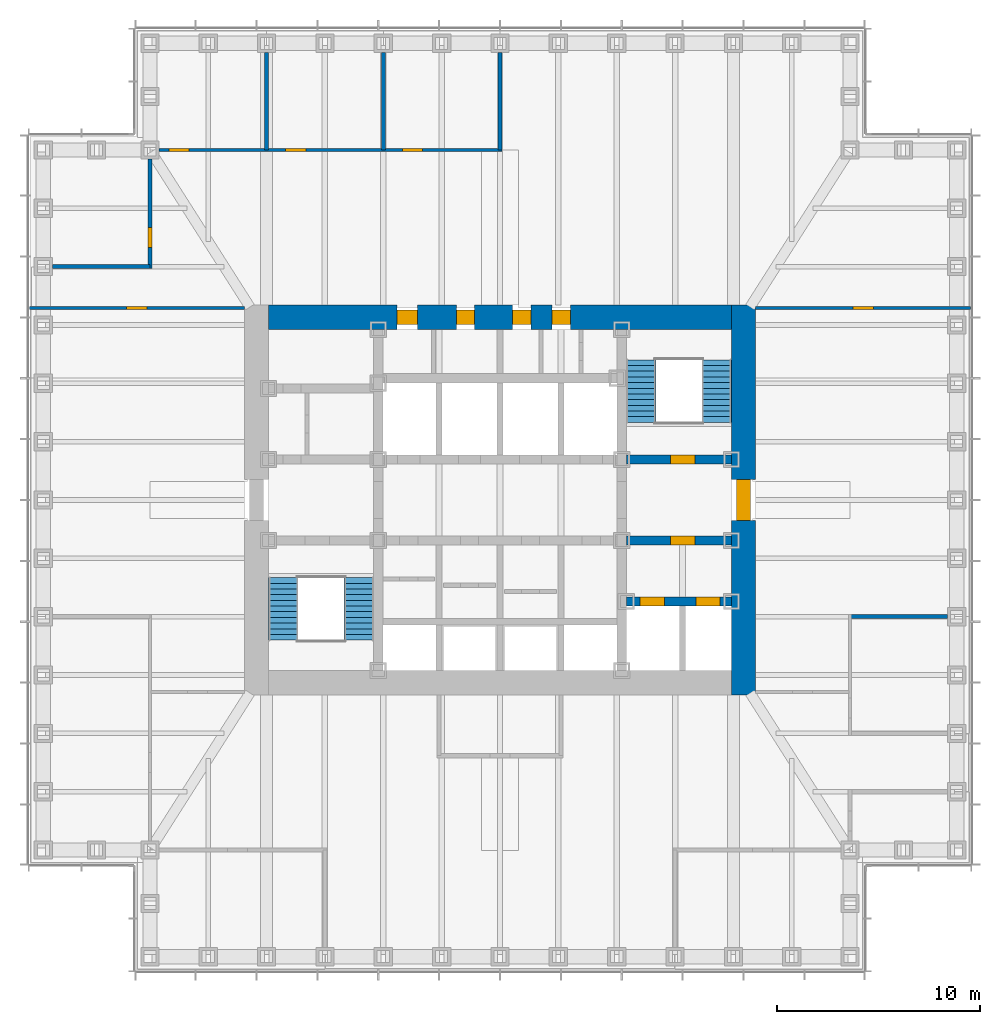
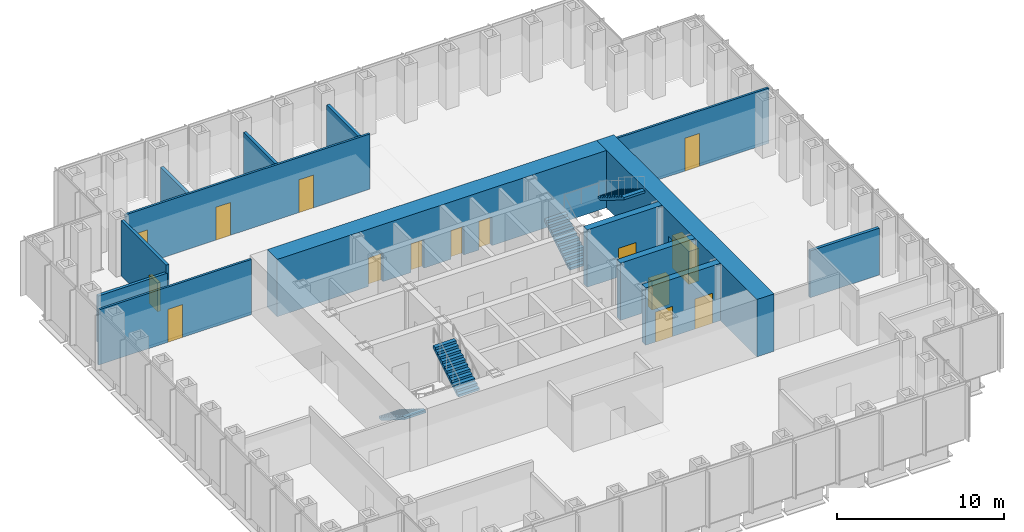
# One storey, part 10 of 16: 15 doors, 14 walls, 4 stair flights, 15 openings, 2 elements without a shape of their own.
"""IFC4 building model written with IfcOpenShell, lengths in metres."""

import ifcopenshell
import ifcopenshell.guid

model = None  # the IFC model being written
_history = None  # IfcOwnerHistory: only IFC2X3 demands one
_inside = {}  # id of a spatial element -> (the spatial element, [elements in it])
_under = {}  # id of a project, library or spatial element -> (it, [spatial elements below it])
_declared = {}  # id of a project -> (the project, [libraries it declares])
_typed = {}  # id of a type object -> (the type object, [elements of that type])
_made_of = {}  # id of a material, layer set ... -> (it, [elements and type objects made of it])


def new_model(schema):
    """Start an empty IFC model of exactly this schema.

    Asked for "IFC4X3", IfcOpenShell would pick the latest addendum, in which some entities
    have other attributes; the version numbers below select the first issue.
    IFC2X3 requires an IfcOwnerHistory on every rooted entity: one is made here for all.
    """
    global model, _history
    if schema == "IFC4X3":
        model = ifcopenshell.file(schema_version=(4, 3, 0, 0))
    else:
        model = ifcopenshell.file(schema=schema)
    _inside.clear()
    _under.clear()
    _declared.clear()
    _typed.clear()
    _made_of.clear()
    _history = None
    if model.schema == "IFC2X3":
        org = make("IfcOrganization", Name="unknown")
        user = make(
            "IfcPersonAndOrganization",
            ThePerson=make("IfcPerson", FamilyName="unknown"),
            TheOrganization=org,
        )
        app = make(
            "IfcApplication",
            ApplicationDeveloper=org,
            Version="unknown",
            ApplicationFullName="unknown",
            ApplicationIdentifier="unknown",
        )
        _history = make(
            "IfcOwnerHistory",
            OwningUser=user,
            OwningApplication=app,
            ChangeAction="ADDED",
            CreationDate=0,
        )
    return model


def make(cls, **values):
    """One entity of the class cls with the attributes given. An attribute that is None is left unset."""
    return model.create_entity(
        cls, **{name: value for name, value in values.items() if value is not None}
    )


def rooted(cls, **values):
    """An entity with a GlobalId (a new one), such as an element, a storey or a relation."""
    return make(cls, GlobalId=ifcopenshell.guid.new(), OwnerHistory=_history, **values)


def si_unit(unit_type, name, prefix=None):
    """IfcSIUnit, for example si_unit("LENGTHUNIT", "METRE", prefix="MILLI")."""
    return make("IfcSIUnit", UnitType=unit_type, Prefix=prefix, Name=name)


def assignment(units):
    """IfcUnitAssignment: the units of a project."""
    return None if units is None else make("IfcUnitAssignment", Units=units)


def point(xyz):
    """IfcCartesianPoint."""
    return None if xyz is None else make("IfcCartesianPoint", Coordinates=xyz)


def direction(xyz):
    """IfcDirection."""
    return None if xyz is None else make("IfcDirection", DirectionRatios=xyz)


def frame(location, z_axis=None, x_axis=None):
    """IfcAxis2Placement3D, a coordinate frame: its origin and axes. An axis left out is left unset."""
    return make(
        "IfcAxis2Placement3D",
        Location=point(location),
        Axis=direction(z_axis),
        RefDirection=direction(x_axis),
    )


def frame_2d(location, x_axis=None):
    """IfcAxis2Placement2D, a coordinate frame in the plane: its origin and x axis."""
    return make(
        "IfcAxis2Placement2D", Location=point(location), RefDirection=direction(x_axis)
    )


def origin():
    """The frame at (0, 0, 0) with its axes left unset."""
    return frame((0.0, 0.0, 0.0))


def place(relative_to, where):
    """IfcLocalPlacement: puts the frame where relative to a parent placement (None: the world)."""
    return make(
        "IfcLocalPlacement", PlacementRelTo=relative_to, RelativePlacement=where
    )


def context(
    kind, dimensions, precision=None, world=None, true_north=None, identifier=None
):
    """IfcGeometricRepresentationContext, for example the 3D "Model" context."""
    return make(
        "IfcGeometricRepresentationContext",
        ContextIdentifier=identifier,
        ContextType=kind,
        CoordinateSpaceDimension=dimensions,
        Precision=precision,
        WorldCoordinateSystem=world,
        TrueNorth=true_north,
    )


def subcontext(parent, identifier, kind, view, scale=None):
    """IfcGeometricRepresentationSubContext, for example "Body" below "Model"."""
    return make(
        "IfcGeometricRepresentationSubContext",
        ContextIdentifier=identifier,
        ContextType=kind,
        ParentContext=parent,
        TargetScale=scale,
        TargetView=view,
    )


def project(units=None, contexts=None):
    """IfcProject with its units and contexts."""
    return rooted(
        "IfcProject",
        Name="project",
        RepresentationContexts=contexts,
        UnitsInContext=assignment(units),
    )


def spatial(cls, under=None, at=None, **own):
    """A site, building, storey or space (cls), placed at a placement, below another one or the project."""
    s = rooted(cls, ObjectPlacement=at, **own)
    if under is not None:
        _under.setdefault(under.id(), (under, []))[1].append(s)
    return s


def polyline(points):
    """IfcPolyline through the points."""
    return make("IfcPolyline", Points=[point(p) for p in points])


def profile(cls, at=None, kind="AREA", **sizes):
    """A parametric profile (cls). Its sizes go by their IFC names, for example OverallWidth=200.0."""
    return make(cls, ProfileType=kind, Position=at, **sizes)


def rectangle(**sizes):
    """IfcRectangleProfileDef."""
    return profile("IfcRectangleProfileDef", **sizes)


def outline(outer, holes=None, kind="AREA"):
    """IfcArbitraryClosedProfileDef: a profile drawn as a closed curve; with holes, ...WithVoids."""
    if holes is None:
        return make("IfcArbitraryClosedProfileDef", ProfileType=kind, OuterCurve=outer)
    return make(
        "IfcArbitraryProfileDefWithVoids",
        ProfileType=kind,
        OuterCurve=outer,
        InnerCurves=holes,
    )


def extrude(swept, where, along, depth):
    """IfcExtrudedAreaSolid: the profile swept, set in the frame where, extruded along a direction by depth."""
    return make(
        "IfcExtrudedAreaSolid",
        SweptArea=swept,
        Position=where,
        ExtrudedDirection=direction(along),
        Depth=depth,
    )


def shape(context_of_items, identifier, shape_type, items):
    """IfcShapeRepresentation: the items that make up one representation, for example the "Body"."""
    return make(
        "IfcShapeRepresentation",
        ContextOfItems=context_of_items,
        RepresentationIdentifier=identifier,
        RepresentationType=shape_type,
        Items=items,
    )


def material(Name=None, Category=None):
    """IfcMaterial."""
    return make("IfcMaterial", Name=Name, Category=Category)


def layer(
    of_material, thickness, ventilated=None, Name=None, Category=None, Priority=None
):
    """IfcMaterialLayer: one layer of a wall or slab, of a material (None: an air gap)."""
    return make(
        "IfcMaterialLayer",
        Material=of_material,
        LayerThickness=thickness,
        IsVentilated=ventilated,
        Name=Name,
        Category=Category,
        Priority=Priority,
    )


def layer_set(layers, Name=None):
    """IfcMaterialLayerSet."""
    return make("IfcMaterialLayerSet", MaterialLayers=layers, LayerSetName=Name)


def made_of(thing, what):
    """Note that an element or type object is made of a material, layer set ...; save() writes the relation."""
    if what is not None:
        _made_of.setdefault(what.id(), (what, []))[1].append(thing)
    return thing


def type_object(cls, material=None, **own):
    """A type object (cls), such as IfcWallType, which elements share."""
    return made_of(rooted(cls, **own), material)


def element(
    cls,
    number,
    at=None,
    inside=None,
    cuts=None,
    type_object=None,
    material=None,
    context=None,
    identifier="Body",
    shape_type=None,
    held_by="IfcProductDefinitionShape",
    body=None,
    shapes=None,
    **own,
):
    """One element of the class cls, such as IfcWall. Its Tag is "e" and its number.

    at: its placement. inside: the storey or other place that contains it. cuts: it is an
    opening in that element (IfcRelVoidsElement). A single representation is given by context,
    identifier, shape_type and body (its items); several are given by shapes. held_by: the class
    of the entity that holds the representations. save() writes the other relations.
    """
    e = rooted(cls, Tag="e%d" % number, ObjectPlacement=at, **own)
    if body is not None:
        shapes = [shape(context, identifier, shape_type, body)]
    if shapes is not None:
        e.Representation = make(held_by, Representations=shapes)
    if inside is not None:
        _inside.setdefault(inside.id(), (inside, []))[1].append(e)
    if cuts is not None:
        rooted(
            "IfcRelVoidsElement", RelatingBuildingElement=cuts, RelatedOpeningElement=e
        )
    if type_object is not None:
        _typed.setdefault(type_object.id(), (type_object, []))[1].append(e)
    return made_of(e, material)


def fill(opening, filler):
    """IfcRelFillsElement: the door or window that sits in an opening."""
    return rooted(
        "IfcRelFillsElement",
        RelatingOpeningElement=opening,
        RelatedBuildingElement=filler,
    )


def aggregate(whole, parts):
    """IfcRelAggregates: a whole, such as a stair, and the parts it consists of."""
    return rooted("IfcRelAggregates", RelatingObject=whole, RelatedObjects=parts)


def save(model, path):
    """Write the relations noted so far, then the file.

    IfcRelAggregates (storeys below a building ...), IfcRelContainedInSpatialStructure (elements
    in a storey), IfcRelDefinesByType, IfcRelAssociatesMaterial and IfcRelDeclares: one each for
    every whole, place, type object, material and project.
    """
    for whole, parts in _under.values():
        aggregate(whole, parts)
    for where, things in _inside.values():
        rooted(
            "IfcRelContainedInSpatialStructure",
            RelatedElements=things,
            RelatingStructure=where,
        )
    for kind, things in _typed.values():
        rooted("IfcRelDefinesByType", RelatedObjects=things, RelatingType=kind)
    for what, things in _made_of.values():
        rooted("IfcRelAssociatesMaterial", RelatedObjects=things, RelatingMaterial=what)
    for by, libraries in _declared.values():
        rooted("IfcRelDeclares", RelatingContext=by, RelatedDefinitions=libraries)
    model.write(path)


model = new_model("IFC4")

# Units and contexts
model_context = context("Model", 3, precision=1e-05, world=origin(), true_north=direction((0.0, 1.0)))
body_context = subcontext(model_context, "Body", "Model", "MODEL_VIEW")
ifc_project = project(units=[si_unit("LENGTHUNIT", "METRE"), si_unit("AREAUNIT", "SQUARE_METRE"), si_unit("VOLUMEUNIT", "CUBIC_METRE"), si_unit("PLANEANGLEUNIT", "RADIAN"), si_unit("MASSUNIT", "GRAM", prefix="KILO")], contexts=[model_context])

# Site, building, storey
site_placement = place(None, origin())
site = spatial("IfcSite", under=ifc_project, at=site_placement, CompositionType="ELEMENT")
building_placement = place(site_placement, origin())
building = spatial("IfcBuilding", under=site, at=building_placement, Name="Daluyong Arena Tower", CompositionType="ELEMENT")
storey_placement = place(building_placement, frame((0.0, 0.0, 137.5)))
storey = spatial("IfcBuildingStorey", under=building, at=storey_placement, Name="L30", CompositionType="ELEMENT", Elevation=137.5)

# Wall, openings, doors
ifc_material_1 = material(Name="Concrete fc' 45 MPa", Category="concrete")
ifc_layer_1 = layer(ifc_material_1, 0.449951171875)
ifc_layer_set_1 = layer_set([ifc_layer_1], Name="Concrete fc' 45 MPa")
wall_type_1 = type_object("IfcWallType", Name="Core inner wall 450", PredefinedType="SHEAR", material=ifc_layer_set_1)
wall_1_placement = place(storey_placement, frame((62.22509765625, 75.0, 0.0), z_axis=(0.0, 0.0, 1.0), x_axis=(1.0, 0.0, 0.0)))
wall_1 = element("IfcWall", 1, at=wall_1_placement, inside=storey, type_object=wall_type_1, Name="core inner wall at L30", PredefinedType="SHEAR", context=body_context, shape_type="SweptSolid", body=[
    extrude(rectangle(XDim=5.1748046875, YDim=0.449951171875, at=frame_2d((2.58740234375, 0.0))), origin(), (0.0, 0.0, 1.0), 4.199951171875),
])
opening_1_placement = place(wall_1_placement, frame((0.675048828125, 0.0, 0.0)))
opening_1 = element("IfcOpeningElement", 2, at=opening_1_placement, cuts=wall_1, Name="Opening 30027", PredefinedType="OPENING", context=body_context, shape_type="SweptSolid", body=[
    extrude(rectangle(XDim=1.199951171875, YDim=2.199951171875, at=frame_2d((0.60009765625, 1.10009765625))), frame((0.0, 0.23486328125, 0.0), z_axis=(0.0, -1.0, 0.0), x_axis=(1.0, 0.0, 0.0)), (0.0, 0.0, 1.0), 0.469970703125),
])
opening_2_placement = place(wall_1_placement, frame((3.425048828125, 0.0, 0.0)))
opening_2 = element("IfcOpeningElement", 3, at=opening_2_placement, cuts=wall_1, Name="Opening 30028", PredefinedType="OPENING", context=body_context, shape_type="SweptSolid", body=[
    extrude(rectangle(XDim=1.199951171875, YDim=2.199951171875, at=frame_2d((0.60009765625, 1.10009765625))), frame((0.0, 0.23486328125, 0.0), z_axis=(0.0, -1.0, 0.0), x_axis=(1.0, 0.0, 0.0)), (0.0, 0.0, 1.0), 0.469970703125),
])
ifc_material_2 = material(Name="Steel door, fire rated", Category="steel")
door_type_1 = type_object("IfcDoorType", Name="Firefighting lift landing door 1200", OperationType="SLIDING_TO_LEFT", PredefinedType="DOOR", material=ifc_material_2)
door_1_placement = place(opening_1_placement, origin())
door_1 = element("IfcDoor", 4, at=door_1_placement, inside=storey, type_object=door_type_1, Name="firefighting lift landing door F1 30027", OperationType="SLIDING_TO_LEFT", OverallHeight=2.199951171875, OverallWidth=1.199951171875, PredefinedType="DOOR", context=body_context, shape_type="SweptSolid", body=[
    extrude(rectangle(XDim=1.199951171875, YDim=2.199951171875, at=frame_2d((0.60009765625, 1.10009765625))), frame((0.0, 0.224609375, 0.0), z_axis=(0.0, -1.0, 0.0), x_axis=(1.0, 0.0, 0.0)), (0.0, 0.0, 1.0), 0.449462890625),
])
fill(opening_1, door_1)
door_2_placement = place(opening_2_placement, origin())
door_2 = element("IfcDoor", 5, at=door_2_placement, inside=storey, type_object=door_type_1, Name="firefighting lift landing door F2 30028", OperationType="SLIDING_TO_LEFT", OverallHeight=2.199951171875, OverallWidth=1.199951171875, PredefinedType="DOOR", context=body_context, shape_type="SweptSolid", body=[
    extrude(rectangle(XDim=1.199951171875, YDim=2.199951171875, at=frame_2d((0.60009765625, 1.10009765625))), frame((0.0, 0.224609375, 0.0), z_axis=(0.0, -1.0, 0.0), x_axis=(1.0, 0.0, 0.0)), (0.0, 0.0, 1.0), 0.449462890625),
])
fill(opening_2, door_2)

# Wall, opening, door
wall_2_placement = place(storey_placement, frame((62.22509765625, 78.0, 0.0), z_axis=(0.0, 0.0, 1.0), x_axis=(1.0, 0.0, 0.0)))
wall_2 = element("IfcWall", 6, at=wall_2_placement, inside=storey, type_object=wall_type_1, Name="core inner wall at L30", PredefinedType="SHEAR", context=body_context, shape_type="SweptSolid", body=[
    extrude(rectangle(XDim=5.1748046875, YDim=0.449951171875, at=frame_2d((2.58740234375, 0.0))), origin(), (0.0, 0.0, 1.0), 4.199951171875),
])
opening_3_placement = place(wall_2_placement, frame((2.175048828125, 0.0, 0.0)))
opening_3 = element("IfcOpeningElement", 7, at=opening_3_placement, cuts=wall_2, Name="Opening 30022", PredefinedType="OPENING", context=body_context, shape_type="SweptSolid", body=[
    extrude(rectangle(XDim=1.199951171875, YDim=2.10009765625, at=frame_2d((0.60009765625, 1.050048828125))), frame((0.0, 0.23486328125, 0.0), z_axis=(0.0, -1.0, 0.0), x_axis=(1.0, 0.0, 0.0)), (0.0, 0.0, 1.0), 0.469970703125),
])
ifc_material_3 = material(Name="Steel door, fire rated", Category="steel")
door_type_2 = type_object("IfcDoorType", Name="Firefighting lobby door 1200", OperationType="SINGLE_SWING_RIGHT", PredefinedType="DOOR", material=ifc_material_3)
door_3_placement = place(opening_3_placement, origin())
door_3 = element("IfcDoor", 8, at=door_3_placement, inside=storey, type_object=door_type_2, Name="firefighting lobby door 30022", OperationType="SINGLE_SWING_RIGHT", OverallHeight=2.10009765625, OverallWidth=1.199951171875, PredefinedType="DOOR", context=body_context, shape_type="SweptSolid", body=[
    extrude(rectangle(XDim=1.199951171875, YDim=2.10009765625, at=frame_2d((0.60009765625, 1.050048828125))), frame((0.0, 0.224609375, 0.0), z_axis=(0.0, -1.0, 0.0), x_axis=(1.0, 0.0, 0.0)), (0.0, 0.0, 1.0), 0.449462890625),
])
fill(opening_3, door_3)

wall_3_placement = place(storey_placement, frame((62.22509765625, 82.0, 0.0), z_axis=(0.0, 0.0, 1.0), x_axis=(1.0, 0.0, 0.0)))
wall_3 = element("IfcWall", 9, at=wall_3_placement, inside=storey, type_object=wall_type_1, Name="core inner wall at L30", PredefinedType="SHEAR", context=body_context, shape_type="SweptSolid", body=[
    extrude(rectangle(XDim=5.1748046875, YDim=0.449951171875, at=frame_2d((2.58740234375, 0.0))), origin(), (0.0, 0.0, 1.0), 4.199951171875),
])
opening_4_placement = place(wall_3_placement, frame((2.175048828125, 0.0, 0.0)))
opening_4 = element("IfcOpeningElement", 10, at=opening_4_placement, cuts=wall_3, Name="Opening 30017", PredefinedType="OPENING", context=body_context, shape_type="SweptSolid", body=[
    extrude(rectangle(XDim=1.199951171875, YDim=2.10009765625, at=frame_2d((0.60009765625, 1.050048828125))), frame((0.0, 0.23486328125, 0.0), z_axis=(0.0, -1.0, 0.0), x_axis=(1.0, 0.0, 0.0)), (0.0, 0.0, 1.0), 0.469970703125),
])
ifc_material_4 = material(Name="Steel door, fire rated", Category="steel")
door_type_3 = type_object("IfcDoorType", Name="Stair door 1200", OperationType="SINGLE_SWING_LEFT", PredefinedType="DOOR", material=ifc_material_4)
door_4_placement = place(opening_4_placement, origin())
door_4 = element("IfcDoor", 11, at=door_4_placement, inside=storey, type_object=door_type_3, Name="stair B door 30017", OperationType="SINGLE_SWING_LEFT", OverallHeight=2.10009765625, OverallWidth=1.199951171875, PredefinedType="DOOR", context=body_context, shape_type="SweptSolid", body=[
    extrude(rectangle(XDim=1.199951171875, YDim=2.10009765625, at=frame_2d((0.60009765625, 1.050048828125))), frame((0.0, 0.224609375, 0.0), z_axis=(0.0, -1.0, 0.0), x_axis=(1.0, 0.0, 0.0)), (0.0, 0.0, 1.0), 0.449462890625),
])
fill(opening_4, door_4)

ifc_material_5 = material(Name="Concrete fc' 60 MPa", Category="concrete")
ifc_layer_2 = layer(ifc_material_5, 1.199951171875)
ifc_layer_set_2 = layer_set([ifc_layer_2], Name="Concrete fc' 60 MPa")
wall_type_2 = type_object("IfcWallType", Name="Core wall 1200", PredefinedType="SHEAR", material=ifc_layer_set_2)
wall_4_placement = place(storey_placement, frame((68.0, 70.39990234375, 0.0), z_axis=(0.0, 0.0, 1.0), x_axis=(0.0, 1.0, 0.0)))
wall_4 = element("IfcWall", 12, at=wall_4_placement, inside=storey, type_object=wall_type_2, Name="core wall at L30", PredefinedType="SHEAR", context=body_context, shape_type="SweptSolid", body=[
    extrude(rectangle(XDim=19.2001953125, YDim=1.199951171875, at=frame_2d((9.60009765625, 0.0))), origin(), (0.0, 0.0, 1.0), 4.199951171875),
])
opening_5_placement = place(wall_4_placement, frame((8.60009765625, 0.0, 0.0)))
opening_5 = element("IfcOpeningElement", 13, at=opening_5_placement, cuts=wall_4, Name="Opening 30019", PredefinedType="OPENING", context=body_context, shape_type="SweptSolid", body=[
    extrude(rectangle(XDim=2.0, YDim=2.39990234375, at=frame_2d((1.0, 1.199951171875))), frame((0.0, 0.60986328125, 0.0), z_axis=(0.0, -1.0, 0.0), x_axis=(1.0, 0.0, 0.0)), (0.0, 0.0, 1.0), 1.219970703125),
])
ifc_material_6 = material(Name="Steel door, fire rated", Category="steel")
door_type_4 = type_object("IfcDoorType", Name="Core lobby double door 2000", OperationType="DOUBLE_DOOR_SINGLE_SWING", PredefinedType="DOOR", material=ifc_material_6)
door_5_placement = place(opening_5_placement, origin())
door_5 = element("IfcDoor", 14, at=door_5_placement, inside=storey, type_object=door_type_4, Name="core lobby door east 30019", OperationType="DOUBLE_DOOR_SINGLE_SWING", OverallHeight=2.39990234375, OverallWidth=2.0, PredefinedType="DOOR", context=body_context, shape_type="SweptSolid", body=[
    extrude(rectangle(XDim=2.0, YDim=2.39990234375, at=frame_2d((1.0, 1.199951171875))), frame((0.0, 0.35009765625, 0.0), z_axis=(0.0, -1.0, 0.0), x_axis=(1.0, 0.0, 0.0)), (0.0, 0.0, 1.0), 0.699951171875),
])
fill(opening_5, door_5)

# Wall, openings, doors
wall_5_placement = place(storey_placement, frame((44.60009765625, 89.0, 0.0), z_axis=(0.0, 0.0, 1.0), x_axis=(1.0, 0.0, 0.0)))
wall_5 = element("IfcWall", 15, at=wall_5_placement, inside=storey, type_object=wall_type_2, Name="core wall at L30", PredefinedType="SHEAR", context=body_context, shape_type="SweptSolid", body=[
    extrude(rectangle(XDim=22.7998046875, YDim=1.199951171875, at=frame_2d((11.39990234375, 0.0))), origin(), (0.0, 0.0, 1.0), 4.199951171875),
])
opening_6_placement = place(wall_5_placement, frame((6.324951171875, 0.0, 0.0)))
opening_6 = element("IfcOpeningElement", 16, at=opening_6_placement, cuts=wall_5, Name="Opening 30004", PredefinedType="OPENING", context=body_context, shape_type="SweptSolid", body=[
    extrude(rectangle(XDim=1.0, YDim=2.10009765625, at=frame_2d((0.5, 1.050048828125))), frame((0.0, 0.60986328125, 0.0), z_axis=(0.0, -1.0, 0.0), x_axis=(1.0, 0.0, 0.0)), (0.0, 0.0, 1.0), 1.219970703125),
])
opening_7_placement = place(wall_5_placement, frame((9.25, 0.0, 0.0)))
opening_7 = element("IfcOpeningElement", 17, at=opening_7_placement, cuts=wall_5, Name="Opening 30005", PredefinedType="OPENING", context=body_context, shape_type="SweptSolid", body=[
    extrude(rectangle(XDim=0.89990234375, YDim=2.10009765625, at=frame_2d((0.449951171875, 1.050048828125))), frame((0.0, 0.60986328125, 0.0), z_axis=(0.0, -1.0, 0.0), x_axis=(1.0, 0.0, 0.0)), (0.0, 0.0, 1.0), 1.219970703125),
])
opening_8_placement = place(wall_5_placement, frame((12.02490234375, 0.0, 0.0)))
opening_8 = element("IfcOpeningElement", 18, at=opening_8_placement, cuts=wall_5, Name="Opening 30006", PredefinedType="OPENING", context=body_context, shape_type="SweptSolid", body=[
    extrude(rectangle(XDim=0.89990234375, YDim=2.10009765625, at=frame_2d((0.449951171875, 1.050048828125))), frame((0.0, 0.60986328125, 0.0), z_axis=(0.0, -1.0, 0.0), x_axis=(1.0, 0.0, 0.0)), (0.0, 0.0, 1.0), 1.219970703125),
])
opening_9_placement = place(wall_5_placement, frame((13.96240234375, 0.0, 0.0)))
opening_9 = element("IfcOpeningElement", 19, at=opening_9_placement, cuts=wall_5, Name="Opening 30007", PredefinedType="OPENING", context=body_context, shape_type="SweptSolid", body=[
    extrude(rectangle(XDim=0.89990234375, YDim=2.10009765625, at=frame_2d((0.449951171875, 1.050048828125))), frame((0.0, 0.60986328125, 0.0), z_axis=(0.0, -1.0, 0.0), x_axis=(1.0, 0.0, 0.0)), (0.0, 0.0, 1.0), 1.219970703125),
])
ifc_material_7 = material(Name="Timber door", Category="wood")
door_type_5 = type_object("IfcDoorType", Name="Accessible toilet door 1000", OperationType="SINGLE_SWING_LEFT", PredefinedType="DOOR", material=ifc_material_7)
door_6_placement = place(opening_6_placement, origin())
door_6 = element("IfcDoor", 20, at=door_6_placement, inside=storey, type_object=door_type_5, Name="accessible toilet door 30004", OperationType="SINGLE_SWING_LEFT", OverallHeight=2.10009765625, OverallWidth=1.0, PredefinedType="DOOR", context=body_context, shape_type="SweptSolid", body=[
    extrude(rectangle(XDim=1.0, YDim=2.10009765625, at=frame_2d((0.5, 1.050048828125))), frame((0.0, 0.35009765625, 0.0), z_axis=(0.0, -1.0, 0.0), x_axis=(1.0, 0.0, 0.0)), (0.0, 0.0, 1.0), 0.699951171875),
])
fill(opening_6, door_6)
ifc_material_8 = material(Name="Steel door, fire rated", Category="steel")
door_type_6 = type_object("IfcDoorType", Name="Core room door 900", OperationType="SINGLE_SWING_LEFT", PredefinedType="DOOR", material=ifc_material_8)
door_7_placement = place(opening_7_placement, origin())
door_7 = element("IfcDoor", 21, at=door_7_placement, inside=storey, type_object=door_type_6, Name="tea point door 30005", OperationType="SINGLE_SWING_LEFT", OverallHeight=2.10009765625, OverallWidth=0.89990234375, PredefinedType="DOOR", context=body_context, shape_type="SweptSolid", body=[
    extrude(rectangle(XDim=0.89990234375, YDim=2.10009765625, at=frame_2d((0.449951171875, 1.050048828125))), frame((0.0, 0.35009765625, 0.0), z_axis=(0.0, -1.0, 0.0), x_axis=(1.0, 0.0, 0.0)), (0.0, 0.0, 1.0), 0.699951171875),
])
fill(opening_7, door_7)
ifc_material_9 = material(Name="Steel door, fire rated", Category="steel")
door_type_7 = type_object("IfcDoorType", Name="Core store door 900", OperationType="SINGLE_SWING_LEFT", PredefinedType="DOOR", material=ifc_material_9)
door_8_placement = place(opening_8_placement, origin())
door_8 = element("IfcDoor", 22, at=door_8_placement, inside=storey, type_object=door_type_7, Name="security store door 30006", OperationType="SINGLE_SWING_LEFT", OverallHeight=2.10009765625, OverallWidth=0.89990234375, PredefinedType="DOOR", context=body_context, shape_type="SweptSolid", body=[
    extrude(rectangle(XDim=0.89990234375, YDim=2.10009765625, at=frame_2d((0.449951171875, 1.050048828125))), frame((0.0, 0.35009765625, 0.0), z_axis=(0.0, -1.0, 0.0), x_axis=(1.0, 0.0, 0.0)), (0.0, 0.0, 1.0), 0.699951171875),
])
fill(opening_8, door_8)
ifc_material_10 = material(Name="Steel door, fire rated", Category="steel")
door_type_8 = type_object("IfcDoorType", Name="Plant room door 900", OperationType="SINGLE_SWING_LEFT", PredefinedType="DOOR", material=ifc_material_10)
door_9_placement = place(opening_9_placement, origin())
door_9 = element("IfcDoor", 23, at=door_9_placement, inside=storey, type_object=door_type_8, Name="comms room door 30007", OperationType="SINGLE_SWING_LEFT", OverallHeight=2.10009765625, OverallWidth=0.89990234375, PredefinedType="DOOR", context=body_context, shape_type="SweptSolid", body=[
    extrude(rectangle(XDim=0.89990234375, YDim=2.10009765625, at=frame_2d((0.449951171875, 1.050048828125))), frame((0.0, 0.35009765625, 0.0), z_axis=(0.0, -1.0, 0.0), x_axis=(1.0, 0.0, 0.0)), (0.0, 0.0, 1.0), 0.699951171875),
])
fill(opening_9, door_9)

# Wall, opening, door
ifc_material_11 = material(Name="Glazed aluminium partition", Category="aluminium")
ifc_layer_3 = layer(ifc_material_11, 0.14990234375)
ifc_layer_set_3 = layer_set([ifc_layer_3], Name="Glazed aluminium partition")
wall_type_3 = type_object("IfcWallType", Name="Glazed partition 150", PredefinedType="PARTITIONING", material=ifc_layer_set_3)
wall_6_placement = place(storey_placement, frame((32.81005859375, 89.449951171875, 0.0), z_axis=(0.0, 0.0, 1.0), x_axis=(1.0, 0.0, 0.0)))
wall_6 = element("IfcWall", 24, at=wall_6_placement, inside=storey, type_object=wall_type_3, Name="glazed partition at L30", PredefinedType="PARTITIONING", context=body_context, shape_type="SweptSolid", body=[
    extrude(rectangle(XDim=10.58984375, YDim=0.14990234375, at=frame_2d((5.294921875, 0.0))), origin(), (0.0, 0.0, 1.0), 4.0400390625),
])
opening_10_placement = place(wall_6_placement, frame((4.794921875, 0.0, 0.0)))
opening_10 = element("IfcOpeningElement", 25, at=opening_10_placement, cuts=wall_6, Name="Opening 30040", PredefinedType="OPENING", context=body_context, shape_type="SweptSolid", body=[
    extrude(rectangle(XDim=1.0, YDim=2.39990234375, at=frame_2d((0.5, 1.199951171875))), frame((0.0, 0.0849609375, 0.0), z_axis=(0.0, -1.0, 0.0), x_axis=(1.0, 0.0, 0.0)), (0.0, 0.0, 1.0), 0.169921875),
])
ifc_material_12 = material(Name="Glazed aluminium door", Category="aluminium")
door_type_9 = type_object("IfcDoorType", Name="Meeting room glazed door 1000", OperationType="SINGLE_SWING_RIGHT", PredefinedType="DOOR", material=ifc_material_12)
door_10_placement = place(opening_10_placement, origin())
door_10 = element("IfcDoor", 26, at=door_10_placement, inside=storey, type_object=door_type_9, Name="team area screen door 30040", OperationType="SINGLE_SWING_RIGHT", OverallHeight=2.39990234375, OverallWidth=1.0, PredefinedType="DOOR", context=body_context, shape_type="SweptSolid", body=[
    extrude(rectangle(XDim=1.0, YDim=2.39990234375, at=frame_2d((0.5, 1.199951171875))), frame((0.0, 0.07470703125, 0.0), z_axis=(0.0, -1.0, 0.0), x_axis=(1.0, 0.0, 0.0)), (0.0, 0.0, 1.0), 0.1494140625),
])
fill(opening_10, door_10)

wall_7_placement = place(storey_placement, frame((68.60009765625, 89.449951171875, 0.0), z_axis=(0.0, 0.0, 1.0), x_axis=(1.0, 0.0, 0.0)))
wall_7 = element("IfcWall", 27, at=wall_7_placement, inside=storey, type_object=wall_type_3, Name="glazed partition at L30", PredefinedType="PARTITIONING", context=body_context, shape_type="SweptSolid", body=[
    extrude(rectangle(XDim=10.58984375, YDim=0.14990234375, at=frame_2d((5.294921875, 0.0))), origin(), (0.0, 0.0, 1.0), 4.0400390625),
])
opening_11_placement = place(wall_7_placement, frame((4.794921875, 0.0, 0.0)))
opening_11 = element("IfcOpeningElement", 28, at=opening_11_placement, cuts=wall_7, Name="Opening 30042", PredefinedType="OPENING", context=body_context, shape_type="SweptSolid", body=[
    extrude(rectangle(XDim=1.0, YDim=2.39990234375, at=frame_2d((0.5, 1.199951171875))), frame((0.0, 0.0849609375, 0.0), z_axis=(0.0, -1.0, 0.0), x_axis=(1.0, 0.0, 0.0)), (0.0, 0.0, 1.0), 0.169921875),
])
door_11_placement = place(opening_11_placement, origin())
door_11 = element("IfcDoor", 29, at=door_11_placement, inside=storey, type_object=door_type_9, Name="team area screen door 30042", OperationType="SINGLE_SWING_RIGHT", OverallHeight=2.39990234375, OverallWidth=1.0, PredefinedType="DOOR", context=body_context, shape_type="SweptSolid", body=[
    extrude(rectangle(XDim=1.0, YDim=2.39990234375, at=frame_2d((0.5, 1.199951171875))), frame((0.0, 0.07470703125, 0.0), z_axis=(0.0, -1.0, 0.0), x_axis=(1.0, 0.0, 0.0)), (0.0, 0.0, 1.0), 0.1494140625),
])
fill(opening_11, door_11)

# Wall, openings, doors
wall_8_placement = place(storey_placement, frame((39.199951171875, 97.25, 0.0), z_axis=(0.0, 0.0, 1.0), x_axis=(1.0, 0.0, 0.0)))
wall_8 = element("IfcWall", 30, at=wall_8_placement, inside=storey, type_object=wall_type_3, Name="glazed partition at L30", PredefinedType="PARTITIONING", context=body_context, shape_type="SweptSolid", body=[
    extrude(rectangle(XDim=16.900146484375, YDim=0.14990234375, at=frame_2d((8.4501953125, 0.0))), origin(), (0.0, 0.0, 1.0), 4.0400390625),
])
opening_12_placement = place(wall_8_placement, frame((0.487548828125, 0.0, 0.0)))
opening_12 = element("IfcOpeningElement", 31, at=opening_12_placement, cuts=wall_8, Name="Opening 30033", PredefinedType="OPENING", context=body_context, shape_type="SweptSolid", body=[
    extrude(rectangle(XDim=1.0, YDim=2.39990234375, at=frame_2d((0.5, 1.199951171875))), frame((0.0, 0.0849609375, 0.0), z_axis=(0.0, -1.0, 0.0), x_axis=(1.0, 0.0, 0.0)), (0.0, 0.0, 1.0), 0.169921875),
])
opening_13_placement = place(wall_8_placement, frame((6.237548828125, 0.0, 0.0)))
opening_13 = element("IfcOpeningElement", 32, at=opening_13_placement, cuts=wall_8, Name="Opening 30034", PredefinedType="OPENING", context=body_context, shape_type="SweptSolid", body=[
    extrude(rectangle(XDim=1.0, YDim=2.39990234375, at=frame_2d((0.5, 1.199951171875))), frame((0.0, 0.0849609375, 0.0), z_axis=(0.0, -1.0, 0.0), x_axis=(1.0, 0.0, 0.0)), (0.0, 0.0, 1.0), 0.169921875),
])
opening_14_placement = place(wall_8_placement, frame((11.987548828125, 0.0, 0.0)))
opening_14 = element("IfcOpeningElement", 33, at=opening_14_placement, cuts=wall_8, Name="Opening 30035", PredefinedType="OPENING", context=body_context, shape_type="SweptSolid", body=[
    extrude(rectangle(XDim=1.0, YDim=2.39990234375, at=frame_2d((0.5, 1.199951171875))), frame((0.0, 0.0849609375, 0.0), z_axis=(0.0, -1.0, 0.0), x_axis=(1.0, 0.0, 0.0)), (0.0, 0.0, 1.0), 0.169921875),
])
door_12_placement = place(opening_12_placement, origin())
door_12 = element("IfcDoor", 34, at=door_12_placement, inside=storey, type_object=door_type_9, Name="meeting room door 30033", OperationType="SINGLE_SWING_RIGHT", OverallHeight=2.39990234375, OverallWidth=1.0, PredefinedType="DOOR", context=body_context, shape_type="SweptSolid", body=[
    extrude(rectangle(XDim=1.0, YDim=2.39990234375, at=frame_2d((0.5, 1.199951171875))), frame((0.0, 0.07470703125, 0.0), z_axis=(0.0, -1.0, 0.0), x_axis=(1.0, 0.0, 0.0)), (0.0, 0.0, 1.0), 0.1494140625),
])
fill(opening_12, door_12)
door_13_placement = place(opening_13_placement, origin())
door_13 = element("IfcDoor", 35, at=door_13_placement, inside=storey, type_object=door_type_9, Name="meeting room door 30034", OperationType="SINGLE_SWING_RIGHT", OverallHeight=2.39990234375, OverallWidth=1.0, PredefinedType="DOOR", context=body_context, shape_type="SweptSolid", body=[
    extrude(rectangle(XDim=1.0, YDim=2.39990234375, at=frame_2d((0.5, 1.199951171875))), frame((0.0, 0.07470703125, 0.0), z_axis=(0.0, -1.0, 0.0), x_axis=(1.0, 0.0, 0.0)), (0.0, 0.0, 1.0), 0.1494140625),
])
fill(opening_13, door_13)
door_14_placement = place(opening_14_placement, origin())
door_14 = element("IfcDoor", 36, at=door_14_placement, inside=storey, type_object=door_type_9, Name="meeting room door 30035", OperationType="SINGLE_SWING_RIGHT", OverallHeight=2.39990234375, OverallWidth=1.0, PredefinedType="DOOR", context=body_context, shape_type="SweptSolid", body=[
    extrude(rectangle(XDim=1.0, YDim=2.39990234375, at=frame_2d((0.5, 1.199951171875))), frame((0.0, 0.07470703125, 0.0), z_axis=(0.0, -1.0, 0.0), x_axis=(1.0, 0.0, 0.0)), (0.0, 0.0, 1.0), 0.1494140625),
])
fill(opening_14, door_14)

# Walls
ifc_material_13 = material(Name="Concrete block partition", Category="concrete")
ifc_layer_4 = layer(ifc_material_13, 0.199951171875)
ifc_layer_set_4 = layer_set([ifc_layer_4], Name="Concrete block partition")
wall_type_4 = type_object("IfcWallType", Name="Partition 200", PredefinedType="PARTITIONING", material=ifc_layer_set_4)
wall_9_placement = place(storey_placement, frame((73.25, 74.25, 0.0), z_axis=(0.0, 0.0, 1.0), x_axis=(1.0, 0.0, 0.0)))
element("IfcWall", 37, at=wall_9_placement, inside=storey, type_object=wall_type_4, Name="partition at L30", PredefinedType="PARTITIONING", context=body_context, shape_type="SweptSolid", body=[
    extrude(rectangle(XDim=4.800048828125, YDim=0.199951171875, at=frame_2d((2.39990234375, 0.0))), origin(), (0.0, 0.0, 1.0), 3.427978515625),
])
wall_10_placement = place(storey_placement, frame((44.5, 97.25, 0.0), z_axis=(0.0, 0.0, 1.0), x_axis=(0.0, 1.0, 0.0)))
element("IfcWall", 38, at=wall_10_placement, inside=storey, type_object=wall_type_4, Name="partition at L30", PredefinedType="PARTITIONING", context=body_context, shape_type="SweptSolid", body=[
    extrude(rectangle(XDim=4.800048828125, YDim=0.199951171875, at=frame_2d((2.39990234375, 0.0))), origin(), (0.0, 0.0, 1.0), 2.739990234375),
])
for number, where, z_axis, x_axis, name in (
    (39, (50.25, 97.25, 0.0), (0.0, 0.0, 1.0), (0.0, 1.0, 0.0), "partition at L30"),
    (40, (56.0, 97.25, 0.0), (0.0, 0.0, 1.0), (0.0, 1.0, 0.0), "partition at L30"),
):
    element("IfcWall", number, at=place(storey_placement, frame(where, z_axis=z_axis, x_axis=x_axis)), inside=storey, type_object=wall_type_4, Name=name, PredefinedType="PARTITIONING", context=body_context, shape_type="SweptSolid", body=[
        extrude(rectangle(XDim=4.800048828125, YDim=0.199951171875, at=frame_2d((2.39990234375, 0.0))), origin(), (0.0, 0.0, 1.0), 3.278076171875),
    ])
wall_11_placement = place(storey_placement, frame((33.949951171875, 91.5, 0.0), z_axis=(0.0, 0.0, 1.0), x_axis=(1.0, 0.0, 0.0)))
element("IfcWall", 41, at=wall_11_placement, inside=storey, type_object=wall_type_4, Name="partition at L30", PredefinedType="PARTITIONING", context=body_context, shape_type="SweptSolid", body=[
    extrude(rectangle(XDim=4.800048828125, YDim=0.199951171875, at=frame_2d((2.39990234375, 0.0))), origin(), (0.0, 0.0, 1.0), 3.427978515625),
])

# Wall, opening, door
wall_12_placement = place(storey_placement, frame((38.75, 91.39990234375, 0.0), z_axis=(0.0, 0.0, 1.0), x_axis=(0.0, 1.0, 0.0)))
wall_12 = element("IfcWall", 42, at=wall_12_placement, inside=storey, type_object=wall_type_4, Name="partition at L30", PredefinedType="PARTITIONING", context=body_context, shape_type="SweptSolid", body=[
    extrude(rectangle(XDim=5.400146484375, YDim=0.199951171875, at=frame_2d((2.7001953125, 0.0))), origin(), (0.0, 0.0, 1.0), 4.0400390625),
])
opening_15_placement = place(wall_12_placement, frame((1.03759765625, 0.0, 0.0)))
opening_15 = element("IfcOpeningElement", 43, at=opening_15_placement, cuts=wall_12, Name="Opening 30037", PredefinedType="OPENING", context=body_context, shape_type="SweptSolid", body=[
    extrude(rectangle(XDim=1.0, YDim=2.10009765625, at=frame_2d((0.5, 1.050048828125))), frame((0.0, 0.10986328125, 0.0), z_axis=(0.0, -1.0, 0.0), x_axis=(1.0, 0.0, 0.0)), (0.0, 0.0, 1.0), 0.219970703125),
])
ifc_material_14 = material(Name="Timber door", Category="wood")
door_type_10 = type_object("IfcDoorType", Name="Room door 1000", OperationType="SINGLE_SWING_LEFT", PredefinedType="DOOR", material=ifc_material_14)
door_15_placement = place(opening_15_placement, origin())
door_15 = element("IfcDoor", 44, at=door_15_placement, inside=storey, type_object=door_type_10, Name="pantry door 30037", OperationType="SINGLE_SWING_LEFT", OverallHeight=2.10009765625, OverallWidth=1.0, PredefinedType="DOOR", context=body_context, shape_type="SweptSolid", body=[
    extrude(rectangle(XDim=1.0, YDim=2.10009765625, at=frame_2d((0.5, 1.050048828125))), frame((0.0, 0.099609375, 0.0), z_axis=(0.0, -1.0, 0.0), x_axis=(1.0, 0.0, 0.0)), (0.0, 0.0, 1.0), 0.199462890625),
])
fill(opening_15, door_15)

# Stair, stair flights
ifc_material_15 = material(Name="Concrete fc' 35 MPa", Category="concrete")
stair_type = type_object("IfcStairType", Name="Core exit stair", PredefinedType="HALF_TURN_STAIR", material=ifc_material_15)
stair_1_placement = place(storey_placement, origin())
stair_1 = element("IfcStair", 45, at=stair_1_placement, inside=storey, type_object=stair_type, Name="exit stair A L30", PredefinedType="HALF_TURN_STAIR")
ifc_material_16 = material(Name="Concrete fc' 35 MPa", Category="concrete")
stair_flight_type = type_object("IfcStairFlightType", Name="Core stair flight", PredefinedType="STRAIGHT", material=ifc_material_16)
stair_flight_1_placement = place(storey_placement, frame((45.324951171875, 76.175048828125, 0.0), z_axis=(0.0, 0.0, 1.0), x_axis=(0.0, -1.0, 0.0)))
stair_flight_1 = element("IfcStairFlight", 46, at=stair_flight_1_placement, type_object=stair_flight_type, Name="STA flight 1", NumberOfRisers=12, NumberOfTreads=11, PredefinedType="STRAIGHT", RiserHeight=0.175, TreadLength=0.28, context=body_context, shape_type="SweptSolid", body=[
    extrude(outline(polyline([(0.0, 0.0), (0.0, 0.175048828125), (0.280029296875, 0.175048828125), (0.280029296875, 0.35009765625), (0.56005859375, 0.35009765625), (0.56005859375, 0.52490234375), (0.840087890625, 0.52490234375), (0.840087890625, 0.699951171875), (1.1201171875, 0.699951171875), (1.1201171875, 0.875), (1.39990234375, 0.875), (1.39990234375, 1.050048828125), (1.679931640625, 1.050048828125), (1.679931640625, 1.22509765625), (1.9599609375, 1.22509765625), (1.9599609375, 1.39990234375), (2.239990234375, 1.39990234375), (2.239990234375, 1.574951171875), (2.52001953125, 1.574951171875), (2.52001953125, 1.75), (2.800048828125, 1.75), (2.800048828125, 1.925048828125), (3.080078125, 1.925048828125), (3.080078125, 2.10009765625), (3.080078125, 1.748291015625), (0.28271484375, 0.0), (0.0, 0.0)])), frame((0.0, 0.72509765625, 0.0), z_axis=(0.0, -1.0, 0.0), x_axis=(1.0, 0.0, 0.0)), (0.0, 0.0, 1.0), 1.449951171875),
])
stair_flight_2_placement = place(storey_placement, frame((49.050048828125, 73.094970703125, 2.10009765625), z_axis=(0.0, 0.0, 1.0), x_axis=(0.0, 1.0, 0.0)))
stair_flight_2 = element("IfcStairFlight", 47, at=stair_flight_2_placement, type_object=stair_flight_type, Name="STA flight 2", NumberOfRisers=12, NumberOfTreads=11, PredefinedType="STRAIGHT", RiserHeight=0.175, TreadLength=0.28, context=body_context, shape_type="SweptSolid", body=[
    extrude(outline(polyline([(0.0, 0.0), (0.0, 0.175048828125), (0.280029296875, 0.175048828125), (0.280029296875, 0.35009765625), (0.56005859375, 0.35009765625), (0.56005859375, 0.52490234375), (0.840087890625, 0.52490234375), (0.840087890625, 0.699951171875), (1.1201171875, 0.699951171875), (1.1201171875, 0.875), (1.39990234375, 0.875), (1.39990234375, 1.050048828125), (1.679931640625, 1.050048828125), (1.679931640625, 1.22509765625), (1.9599609375, 1.22509765625), (1.9599609375, 1.39990234375), (2.239990234375, 1.39990234375), (2.239990234375, 1.574951171875), (2.52001953125, 1.574951171875), (2.52001953125, 1.75), (2.800048828125, 1.75), (2.800048828125, 1.925048828125), (3.080078125, 1.925048828125), (3.080078125, 2.10009765625), (3.080078125, 1.748291015625), (0.28271484375, 0.0), (0.0, 0.0)])), frame((0.0, 0.72509765625, 0.0), z_axis=(0.0, -1.0, 0.0), x_axis=(1.0, 0.0, 0.0)), (0.0, 0.0, 1.0), 1.449951171875),
])
aggregate(stair_1, [stair_flight_1, stair_flight_2])

stair_2_placement = place(storey_placement, origin())
stair_2 = element("IfcStair", 48, at=stair_2_placement, inside=storey, type_object=stair_type, Name="exit stair B L30", PredefinedType="HALF_TURN_STAIR")
stair_flight_3_placement = place(storey_placement, frame((62.949951171875, 83.824951171875, 0.0), z_axis=(0.0, 0.0, 1.0), x_axis=(0.0, 1.0, 0.0)))
stair_flight_3 = element("IfcStairFlight", 49, at=stair_flight_3_placement, type_object=stair_flight_type, Name="STB flight 1", NumberOfRisers=12, NumberOfTreads=11, PredefinedType="STRAIGHT", RiserHeight=0.175, TreadLength=0.28, context=body_context, shape_type="SweptSolid", body=[
    extrude(outline(polyline([(0.0, 0.0), (0.0, 0.175048828125), (0.280029296875, 0.175048828125), (0.280029296875, 0.35009765625), (0.56005859375, 0.35009765625), (0.56005859375, 0.52490234375), (0.840087890625, 0.52490234375), (0.840087890625, 0.699951171875), (1.1201171875, 0.699951171875), (1.1201171875, 0.875), (1.39990234375, 0.875), (1.39990234375, 1.050048828125), (1.679931640625, 1.050048828125), (1.679931640625, 1.22509765625), (1.9599609375, 1.22509765625), (1.9599609375, 1.39990234375), (2.239990234375, 1.39990234375), (2.239990234375, 1.574951171875), (2.52001953125, 1.574951171875), (2.52001953125, 1.75), (2.800048828125, 1.75), (2.800048828125, 1.925048828125), (3.080078125, 1.925048828125), (3.080078125, 2.10009765625), (3.080078125, 1.748291015625), (0.28271484375, 0.0), (0.0, 0.0)])), frame((0.0, 0.72509765625, 0.0), z_axis=(0.0, -1.0, 0.0), x_axis=(1.0, 0.0, 0.0)), (0.0, 0.0, 1.0), 1.449951171875),
])
stair_flight_4_placement = place(storey_placement, frame((66.675048828125, 86.905029296875, 2.10009765625), z_axis=(0.0, 0.0, 1.0), x_axis=(0.0, -1.0, 0.0)))
stair_flight_4 = element("IfcStairFlight", 50, at=stair_flight_4_placement, type_object=stair_flight_type, Name="STB flight 2", NumberOfRisers=12, NumberOfTreads=11, PredefinedType="STRAIGHT", RiserHeight=0.175, TreadLength=0.28, context=body_context, shape_type="SweptSolid", body=[
    extrude(outline(polyline([(0.0, 0.0), (0.0, 0.175048828125), (0.280029296875, 0.175048828125), (0.280029296875, 0.35009765625), (0.56005859375, 0.35009765625), (0.56005859375, 0.52490234375), (0.840087890625, 0.52490234375), (0.840087890625, 0.699951171875), (1.1201171875, 0.699951171875), (1.1201171875, 0.875), (1.39990234375, 0.875), (1.39990234375, 1.050048828125), (1.679931640625, 1.050048828125), (1.679931640625, 1.22509765625), (1.9599609375, 1.22509765625), (1.9599609375, 1.39990234375), (2.239990234375, 1.39990234375), (2.239990234375, 1.574951171875), (2.52001953125, 1.574951171875), (2.52001953125, 1.75), (2.800048828125, 1.75), (2.800048828125, 1.925048828125), (3.080078125, 1.925048828125), (3.080078125, 2.10009765625), (3.080078125, 1.748291015625), (0.28271484375, 0.0), (0.0, 0.0)])), frame((0.0, 0.72509765625, 0.0), z_axis=(0.0, -1.0, 0.0), x_axis=(1.0, 0.0, 0.0)), (0.0, 0.0, 1.0), 1.449951171875),
])
aggregate(stair_2, [stair_flight_3, stair_flight_4])

save(model, "model.ifc")
